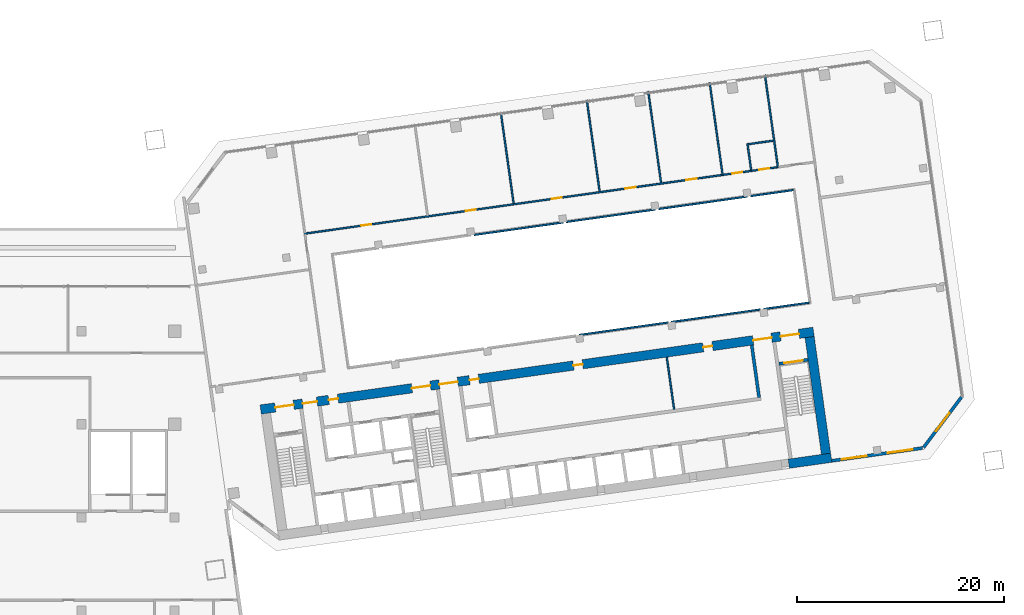
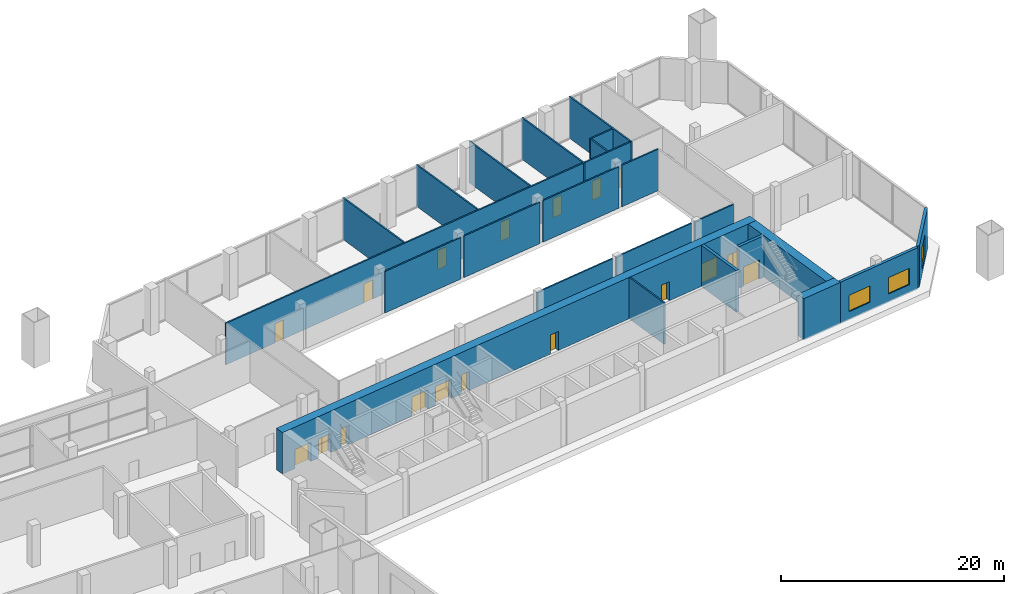
# One storey, part 17 of 21: 24 walls, 18 doors, 3 windows, 21 openings.
"""IFC4 building model written with IfcOpenShell, lengths in metres."""

from ifc_helpers import new_model, si_unit, direction, frame, frame_2d, origin, place, context, subcontext, project, spatial, rectangle, extrude, material, layer, layer_set, type_object, element, fill, save


model = new_model("IFC4")

# Units and contexts
model_context = context("Model", 3, precision=1e-05, world=origin(), true_north=direction((0.0, 1.0)))
body_context = subcontext(model_context, "Body", "Model", "MODEL_VIEW")
ifc_project = project(units=[si_unit("LENGTHUNIT", "METRE"), si_unit("AREAUNIT", "SQUARE_METRE"), si_unit("VOLUMEUNIT", "CUBIC_METRE"), si_unit("PLANEANGLEUNIT", "RADIAN"), si_unit("MASSUNIT", "GRAM", prefix="KILO")], contexts=[model_context])

# Site, building, storey
site_placement = place(None, origin())
site = spatial("IfcSite", under=ifc_project, at=site_placement, CompositionType="ELEMENT")
building_placement = place(site_placement, origin())
building = spatial("IfcBuilding", under=site, at=building_placement, Name="Mirante Cascada Hotel Towers", CompositionType="ELEMENT")
storey_placement = place(building_placement, frame((0.0, 0.0, 34.5)))
storey = spatial("IfcBuildingStorey", under=building, at=storey_placement, Name="L05", CompositionType="ELEMENT", Elevation=34.5)

# Wall
ifc_material_1 = material(Name="Masonry block", Category="masonry")
ifc_layer_1 = layer(ifc_material_1, 0.15)
ifc_layer_set_1 = layer_set([ifc_layer_1], Name="Core room partition 150 block EI 30")
wall_type_1 = type_object("IfcWallType", Name="Core room partition 150 block EI 30", PredefinedType="PARTITIONING", material=ifc_layer_set_1)
wall_1_placement = place(storey_placement, frame((75.3131, -7.5476, 0.0), z_axis=(0.0, 0.0, 1.0), x_axis=(-0.1391782, 0.9902673, 0.0)))
element("IfcWall", 1, at=wall_1_placement, inside=storey, type_object=wall_type_1, Name="Core wall partition T2 L05 5", PredefinedType="PARTITIONING", context=body_context, shape_type="SweptSolid", body=[
    extrude(rectangle(XDim=5.0999, YDim=0.15, at=frame_2d((2.55, 0.0))), origin(), (0.0, 0.0, 1.0), 4.55),
])

# Wall, openings, doors
ifc_material_2 = material(Name="Masonry block", Category="masonry")
ifc_layer_2 = layer(ifc_material_2, 0.15)
ifc_layer_set_2 = layer_set([ifc_layer_2], Name="Corridor wall 150 block")
wall_type_2 = type_object("IfcWallType", Name="Corridor wall 150 block", PredefinedType="PARTITIONING", material=ifc_layer_set_2)
wall_2_placement = place(storey_placement, frame((39.526, 9.4371, 0.0), z_axis=(0.0, 0.0, 1.0), x_axis=(0.9902682, 0.1391719, 0.0)))
wall_2 = element("IfcWall", 2, at=wall_2_placement, inside=storey, type_object=wall_type_2, Name="Corridor wall T2 L05", PredefinedType="PARTITIONING", context=body_context, shape_type="SweptSolid", body=[
    extrude(rectangle(XDim=40.81, YDim=0.15, at=frame_2d((20.405, 0.0))), origin(), (0.0, 0.0, 1.0), 4.55),
])
opening_1_placement = place(wall_2_placement, frame((5.575, 0.0, 0.0)))
opening_1 = element("IfcOpeningElement", 3, at=opening_1_placement, cuts=wall_2, Name="Opening DP2-L05-05", PredefinedType="OPENING", context=body_context, shape_type="SweptSolid", body=[
    extrude(rectangle(XDim=1.0, YDim=2.1, at=frame_2d((0.5, 1.05))), frame((0.0, 0.075, 0.0), z_axis=(0.0, -1.0, 0.0), x_axis=(1.0, 0.0, 0.0)), (0.0, 0.0, 1.0), 0.15),
])
opening_2_placement = place(wall_2_placement, frame((15.775, 0.0, 0.0)))
opening_2 = element("IfcOpeningElement", 4, at=opening_2_placement, cuts=wall_2, Name="Opening DP2-L05-06", PredefinedType="OPENING", context=body_context, shape_type="SweptSolid", body=[
    extrude(rectangle(XDim=1.0, YDim=2.1, at=frame_2d((0.5, 1.05))), frame((0.0, 0.075, 0.0), z_axis=(0.0, -1.0, 0.0), x_axis=(1.0, 0.0, 0.0)), (0.0, 0.0, 1.0), 0.15),
])
opening_3_placement = place(wall_2_placement, frame((24.175, 0.0, 0.0)))
opening_3 = element("IfcOpeningElement", 5, at=opening_3_placement, cuts=wall_2, Name="Opening DP2-L05-07", PredefinedType="OPENING", context=body_context, shape_type="SweptSolid", body=[
    extrude(rectangle(XDim=1.0, YDim=2.1, at=frame_2d((0.5, 1.05))), frame((0.0, 0.075, 0.0), z_axis=(0.0, -1.0, 0.0), x_axis=(1.0, 0.0, 0.0)), (0.0, 0.0, 1.0), 0.15),
])
opening_4_placement = place(wall_2_placement, frame((31.375, 0.0, 0.0)))
opening_4 = element("IfcOpeningElement", 6, at=opening_4_placement, cuts=wall_2, Name="Opening DP2-L05-08", PredefinedType="OPENING", context=body_context, shape_type="SweptSolid", body=[
    extrude(rectangle(XDim=1.0, YDim=2.1, at=frame_2d((0.5, 1.05))), frame((0.0, 0.075, 0.0), z_axis=(0.0, -1.0, 0.0), x_axis=(1.0, 0.0, 0.0)), (0.0, 0.0, 1.0), 0.15),
])
opening_5_placement = place(wall_2_placement, frame((37.3425, 0.0, 0.0)))
opening_5 = element("IfcOpeningElement", 7, at=opening_5_placement, cuts=wall_2, Name="Opening DP2-L05-09", PredefinedType="OPENING", context=body_context, shape_type="SweptSolid", body=[
    extrude(rectangle(XDim=1.0, YDim=2.1, at=frame_2d((0.5, 1.05))), frame((0.0, 0.075, 0.0), z_axis=(0.0, -1.0, 0.0), x_axis=(1.0, 0.0, 0.0)), (0.0, 0.0, 1.0), 0.15),
])
ifc_material_3 = material(Name="Timber door leaf", Category="wood")
door_type_1 = type_object("IfcDoorType", Name="Single door 1000x2100", OperationType="NOTDEFINED", PredefinedType="DOOR", material=ifc_material_3)
door_1_placement = place(opening_1_placement, frame((1.0, 0.0, 0.0), z_axis=(0.0, 0.0, 1.0), x_axis=(-1.0, 0.0, 0.0)))
door_1 = element("IfcDoor", 8, at=door_1_placement, inside=storey, type_object=door_type_1, Name="Door DP2-L05-05", OperationType="SINGLE_SWING_LEFT", OverallHeight=2.1, OverallWidth=1.0, PredefinedType="DOOR", context=body_context, shape_type="SweptSolid", body=[
    extrude(rectangle(XDim=1.0, YDim=2.1, at=frame_2d((0.5, 1.05))), frame((0.0, 0.025, 0.0), z_axis=(0.0, -1.0, 0.0), x_axis=(1.0, 0.0, 0.0)), (0.0, 0.0, 1.0), 0.05),
])
fill(opening_1, door_1)
door_2_placement = place(opening_2_placement, origin())
door_2 = element("IfcDoor", 9, at=door_2_placement, inside=storey, type_object=door_type_1, Name="Door DP2-L05-06", OperationType="SINGLE_SWING_RIGHT", OverallHeight=2.1, OverallWidth=1.0, PredefinedType="DOOR", context=body_context, shape_type="SweptSolid", body=[
    extrude(rectangle(XDim=1.0, YDim=2.1, at=frame_2d((0.5, 1.05))), frame((0.0, 0.025, 0.0), z_axis=(0.0, -1.0, 0.0), x_axis=(1.0, 0.0, 0.0)), (0.0, 0.0, 1.0), 0.05),
])
fill(opening_2, door_2)
door_3_placement = place(opening_3_placement, origin())
door_3 = element("IfcDoor", 10, at=door_3_placement, inside=storey, type_object=door_type_1, Name="Door DP2-L05-07", OperationType="SINGLE_SWING_LEFT", OverallHeight=2.1, OverallWidth=1.0, PredefinedType="DOOR", context=body_context, shape_type="SweptSolid", body=[
    extrude(rectangle(XDim=1.0, YDim=2.1, at=frame_2d((0.5, 1.05))), frame((0.0, 0.025, 0.0), z_axis=(0.0, -1.0, 0.0), x_axis=(1.0, 0.0, 0.0)), (0.0, 0.0, 1.0), 0.05),
])
fill(opening_3, door_3)
door_4_placement = place(opening_4_placement, origin())
door_4 = element("IfcDoor", 11, at=door_4_placement, inside=storey, type_object=door_type_1, Name="Door DP2-L05-08", OperationType="SINGLE_SWING_RIGHT", OverallHeight=2.1, OverallWidth=1.0, PredefinedType="DOOR", context=body_context, shape_type="SweptSolid", body=[
    extrude(rectangle(XDim=1.0, YDim=2.1, at=frame_2d((0.5, 1.05))), frame((0.0, 0.025, 0.0), z_axis=(0.0, -1.0, 0.0), x_axis=(1.0, 0.0, 0.0)), (0.0, 0.0, 1.0), 0.05),
])
fill(opening_4, door_4)
door_5_placement = place(opening_5_placement, origin())
door_5 = element("IfcDoor", 12, at=door_5_placement, inside=storey, type_object=door_type_1, Name="Door DP2-L05-09", OperationType="SINGLE_SWING_LEFT", OverallHeight=2.1, OverallWidth=1.0, PredefinedType="DOOR", context=body_context, shape_type="SweptSolid", body=[
    extrude(rectangle(XDim=1.0, YDim=2.1, at=frame_2d((0.5, 1.05))), frame((0.0, 0.025, 0.0), z_axis=(0.0, -1.0, 0.0), x_axis=(1.0, 0.0, 0.0)), (0.0, 0.0, 1.0), 0.05),
])
fill(opening_5, door_5)

# Walls
for number, where, z_axis, x_axis, name in (
    (13, (66.1471, -0.3533, 0.0), (0.0, 0.0, 1.0), (0.9902682, 0.139172, 0.0), "Corridor wall T2 L05"),
    (14, (75.0595, 0.8993, 0.0), (0.0, 0.0, 1.0), (0.9902682, 0.139172, 0.0), "Corridor wall T2 L05"),
):
    element("IfcWall", number, at=place(storey_placement, frame(where, z_axis=z_axis, x_axis=x_axis)), inside=storey, type_object=wall_type_2, Name=name, PredefinedType="PARTITIONING", context=body_context, shape_type="SweptSolid", body=[
        extrude(rectangle(XDim=8.6713, YDim=0.15, at=frame_2d((4.3356, 0.0))), origin(), (0.0, 0.0, 1.0), 4.55),
    ])
wall_3_placement = place(storey_placement, frame((83.9719, 2.1518, 0.0), z_axis=(0.0, 0.0, 1.0), x_axis=(0.9902682, 0.1391725, 0.0)))
element("IfcWall", 15, at=wall_3_placement, inside=storey, type_object=wall_type_2, Name="Corridor wall T2 L05", PredefinedType="PARTITIONING", context=body_context, shape_type="SweptSolid", body=[
    extrude(rectangle(XDim=4.4456, YDim=0.15, at=frame_2d((2.2228, 0.0))), origin(), (0.0, 0.0, 1.0), 4.55),
])
for number, where, z_axis, x_axis, name in (
    (16, (55.9808, 9.3261, 0.0), (0.0, 0.0, 1.0), (0.9902682, 0.139172, 0.0), "Corridor wall T2 L05"),
    (17, (64.8932, 10.5786, 0.0), (0.0, 0.0, 1.0), (0.9902682, 0.139172, 0.0), "Corridor wall T2 L05"),
    (18, (73.8056, 11.8312, 0.0), (0.0, 0.0, 1.0), (0.9902682, 0.139172, 0.0), "Corridor wall T2 L05"),
):
    element("IfcWall", number, at=place(storey_placement, frame(where, z_axis=z_axis, x_axis=x_axis)), inside=storey, type_object=wall_type_2, Name=name, PredefinedType="PARTITIONING", context=body_context, shape_type="SweptSolid", body=[
        extrude(rectangle(XDim=8.6713, YDim=0.15, at=frame_2d((4.3356, 0.0))), origin(), (0.0, 0.0, 1.0), 4.55),
    ])
wall_4_placement = place(storey_placement, frame((82.718, 13.0837, 0.0), z_axis=(0.0, 0.0, 1.0), x_axis=(0.9902672, 0.1391794, 0.0)))
element("IfcWall", 19, at=wall_4_placement, inside=storey, type_object=wall_type_2, Name="Corridor wall T2 L05", PredefinedType="PARTITIONING", context=body_context, shape_type="SweptSolid", body=[
    extrude(rectangle(XDim=4.1658, YDim=0.15, at=frame_2d((2.0829, 0.0))), origin(), (0.0, 0.0, 1.0), 4.55),
])
ifc_material_4 = material(Name="Masonry block", Category="masonry")
ifc_layer_3 = layer(ifc_material_4, 0.15)
ifc_layer_set_3 = layer_set([ifc_layer_3], Name="Partition 150 block")
wall_type_3 = type_object("IfcWallType", Name="Partition 150 block", PredefinedType="PARTITIONING", material=ifc_layer_set_3)
for number, where, z_axis, x_axis, name in (
    (20, (58.5492, 21.199, 0.0), (0.0, 0.0, 1.0), (0.1391716, -0.9902683, 0.0), "Partition T2 L05"),
    (21, (66.8674, 22.3681, 0.0), (0.0, 0.0, 1.0), (0.1391716, -0.9902683, 0.0), "Partition T2 L05"),
    (22, (72.809, 23.2031, 0.0), (0.0, 0.0, 1.0), (0.1391716, -0.9902683, 0.0), "Partition T2 L05"),
):
    element("IfcWall", number, at=place(storey_placement, frame(where, z_axis=z_axis, x_axis=x_axis)), inside=storey, type_object=wall_type_3, Name=name, PredefinedType="PARTITIONING", context=body_context, shape_type="SweptSolid", body=[
        extrude(rectangle(XDim=8.925, YDim=0.15, at=frame_2d((4.4625, 0.0))), origin(), (0.0, 0.0, 1.0), 4.55),
    ])

# Wall, openings, windows
ifc_material_5 = material(Name="Precast concrete C40/50", Category="concrete")
ifc_layer_4 = layer(ifc_material_5, 0.3)
ifc_layer_set_4 = layer_set([ifc_layer_4], Name="Precast concrete C40/50 cladding wall 300")
wall_type_4 = type_object("IfcWallType", Name="Precast concrete C40/50 cladding wall 300", PredefinedType="STANDARD", material=ifc_layer_set_4)
wall_5_placement = place(storey_placement, frame((90.5541, -12.5249, 0.0), z_axis=(0.0, 0.0, 1.0), x_axis=(0.9902676, 0.1391765, 0.0)))
wall_5 = element("IfcWall", 23, at=wall_5_placement, inside=storey, type_object=wall_type_4, Name="Rear cladding wall T2 L05 1", PredefinedType="STANDARD", context=body_context, shape_type="SweptSolid", body=[
    extrude(rectangle(XDim=8.8758, YDim=0.3, at=frame_2d((4.4379, 0.0))), origin(), (0.0, 0.0, 1.0), 4.55),
])
opening_6_placement = place(wall_5_placement, frame((1.0012, 0.0, 0.9)))
opening_6 = element("IfcOpeningElement", 24, at=opening_6_placement, cuts=wall_5, Name="Opening W2-05-01", PredefinedType="OPENING", context=body_context, shape_type="SweptSolid", body=[
    extrude(rectangle(XDim=2.4, YDim=1.8, at=frame_2d((1.2, 0.9))), frame((0.0, 0.15, 0.0), z_axis=(0.0, -1.0, 0.0), x_axis=(1.0, 0.0, 0.0)), (0.0, 0.0, 1.0), 0.3),
])
opening_7_placement = place(wall_5_placement, frame((5.4923, 0.0, 0.9)))
opening_7 = element("IfcOpeningElement", 25, at=opening_7_placement, cuts=wall_5, Name="Opening W2-05-02", PredefinedType="OPENING", context=body_context, shape_type="SweptSolid", body=[
    extrude(rectangle(XDim=2.4, YDim=1.8, at=frame_2d((1.2, 0.9))), frame((0.0, 0.15, 0.0), z_axis=(0.0, -1.0, 0.0), x_axis=(1.0, 0.0, 0.0)), (0.0, 0.0, 1.0), 0.3),
])
ifc_material_6 = material(Name="Aluminium frame with clear double glazing", Category="aluminium")
window_type_1 = type_object("IfcWindowType", Name="Punched window 2400x1800", PartitioningType="DOUBLE_PANEL_VERTICAL", PredefinedType="WINDOW", material=ifc_material_6)
window_1_placement = place(opening_6_placement, origin())
window_1 = element("IfcWindow", 26, at=window_1_placement, inside=storey, type_object=window_type_1, Name="Window W2-05-01", OverallHeight=1.8, OverallWidth=2.4, PartitioningType="SINGLE_PANEL", PredefinedType="WINDOW", context=body_context, shape_type="SweptSolid", body=[
    extrude(rectangle(XDim=2.4, YDim=1.8, at=frame_2d((1.2, 0.9))), frame((0.0, 0.03, 0.0), z_axis=(0.0, -1.0, 0.0), x_axis=(1.0, 0.0, 0.0)), (0.0, 0.0, 1.0), 0.06),
])
fill(opening_6, window_1)
window_2_placement = place(opening_7_placement, origin())
window_2 = element("IfcWindow", 27, at=window_2_placement, inside=storey, type_object=window_type_1, Name="Window W2-05-02", OverallHeight=1.8, OverallWidth=2.4, PartitioningType="SINGLE_PANEL", PredefinedType="WINDOW", context=body_context, shape_type="SweptSolid", body=[
    extrude(rectangle(XDim=2.4, YDim=1.8, at=frame_2d((1.2, 0.9))), frame((0.0, 0.03, 0.0), z_axis=(0.0, -1.0, 0.0), x_axis=(1.0, 0.0, 0.0)), (0.0, 0.0, 1.0), 0.06),
])
fill(opening_7, window_2)

# Wall, opening, window
wall_6_placement = place(storey_placement, frame((99.4424, -11.2313, 0.0), z_axis=(0.0, 0.0, 1.0), x_axis=(0.6018194, 0.7986322, 0.0)))
wall_6 = element("IfcWall", 28, at=wall_6_placement, inside=storey, type_object=wall_type_4, Name="Corner cladding wall T2 L05 rear outer", PredefinedType="STANDARD", context=body_context, shape_type="SweptSolid", body=[
    extrude(rectangle(XDim=6.1155, YDim=0.3, at=frame_2d((3.0578, 0.0))), origin(), (0.0, 0.0, 1.0), 4.55),
])
opening_8_placement = place(wall_6_placement, frame((1.9576, 0.0, 0.6)))
opening_8 = element("IfcOpeningElement", 29, at=opening_8_placement, cuts=wall_6, Name="Opening W2-05-03", PredefinedType="OPENING", context=body_context, shape_type="SweptSolid", body=[
    extrude(rectangle(XDim=2.2, YDim=2.4, at=frame_2d((1.1, 1.2))), frame((0.0, 0.15, 0.0), z_axis=(0.0, -1.0, 0.0), x_axis=(1.0, 0.0, 0.0)), (0.0, 0.0, 1.0), 0.3),
])
ifc_material_7 = material(Name="Aluminium frame with clear double glazing", Category="aluminium")
window_type_2 = type_object("IfcWindowType", Name="Corner suite window 2200x2400", PartitioningType="DOUBLE_PANEL_VERTICAL", PredefinedType="WINDOW", material=ifc_material_7)
window_3_placement = place(opening_8_placement, origin())
window_3 = element("IfcWindow", 30, at=window_3_placement, inside=storey, type_object=window_type_2, Name="Window W2-05-03", OverallHeight=2.4, OverallWidth=2.2, PartitioningType="SINGLE_PANEL", PredefinedType="WINDOW", context=body_context, shape_type="SweptSolid", body=[
    extrude(rectangle(XDim=2.2, YDim=2.4, at=frame_2d((1.1, 1.2))), frame((0.0, 0.03, 0.0), z_axis=(0.0, -1.0, 0.0), x_axis=(1.0, 0.0, 0.0)), (0.0, 0.0, 1.0), 0.06),
])
fill(opening_8, window_3)

# Wall, opening, door
ifc_material_8 = material(Name="Concrete C50/60", Category="concrete")
ifc_layer_5 = layer(ifc_material_8, 0.3)
ifc_layer_set_5 = layer_set([ifc_layer_5], Name="RC core wall 300 C50/60")
wall_type_5 = type_object("IfcWallType", Name="RC core wall 300 C50/60", PredefinedType="SHEAR", material=ifc_layer_set_5)
wall_7_placement = place(storey_placement, frame((85.4489, -3.1441, 0.0), z_axis=(0.0, 0.0, 1.0), x_axis=(0.9902697, 0.1391613, 0.0)))
wall_7 = element("IfcWall", 31, at=wall_7_placement, inside=storey, type_object=wall_type_5, Name="Core wall T2:L05:11", PredefinedType="SHEAR", context=body_context, shape_type="SweptSolid", body=[
    extrude(rectangle(XDim=2.8499, YDim=0.3, at=frame_2d((1.425, 0.0))), origin(), (0.0, 0.0, 1.0), 4.55),
])
opening_9_placement = place(wall_7_placement, frame((0.525, 0.0, 0.0)))
opening_9 = element("IfcOpeningElement", 32, at=opening_9_placement, cuts=wall_7, Name="Opening D2-05-C20", PredefinedType="OPENING", context=body_context, shape_type="SweptSolid", body=[
    extrude(rectangle(XDim=1.8, YDim=2.1, at=frame_2d((0.9, 1.05))), frame((0.0, 0.15, 0.0), z_axis=(0.0, -1.0, 0.0), x_axis=(1.0, 0.0, 0.0)), (0.0, 0.0, 1.0), 0.3),
])
ifc_material_9 = material(Name="Hollow metal fire door leaf")
door_type_2 = type_object("IfcDoorType", Name="Double fire door 1800x2100 FD60", OperationType="DOUBLE_DOOR_SINGLE_SWING", PredefinedType="DOOR", material=ifc_material_9)
door_6_placement = place(opening_9_placement, frame((1.8, 0.0, 0.0), z_axis=(0.0, 0.0, 1.0), x_axis=(-1.0, 0.0, 0.0)))
door_6 = element("IfcDoor", 33, at=door_6_placement, inside=storey, type_object=door_type_2, Name="Stair door T2 L05 20", OperationType="DOUBLE_DOOR_SINGLE_SWING", OverallHeight=2.1, OverallWidth=1.8, PredefinedType="DOOR", context=body_context, shape_type="SweptSolid", body=[
    extrude(rectangle(XDim=0.895, YDim=2.1, at=frame_2d((0.4475, 1.05))), frame((0.0, 0.025, 0.0), z_axis=(0.0, -1.0, 0.0), x_axis=(1.0, 0.0, 0.0)), (0.0, 0.0, 1.0), 0.05),
    extrude(rectangle(XDim=0.895, YDim=2.1, at=frame_2d((1.3525, 1.05))), frame((0.0, 0.025, 0.0), z_axis=(0.0, -1.0, 0.0), x_axis=(1.0, 0.0, 0.0)), (0.0, 0.0, 1.0), 0.05),
])
fill(opening_9, door_6)

# Walls
wall_8_placement = place(storey_placement, frame((83.5323, -6.3925, 0.0), z_axis=(0.0, 0.0, 1.0), x_axis=(-0.1391755, 0.9902677, 0.0)))
element("IfcWall", 34, at=wall_8_placement, inside=storey, type_object=wall_type_5, Name="Core wall T2:L05:36", PredefinedType="SHEAR", context=body_context, shape_type="SweptSolid", body=[
    extrude(rectangle(XDim=5.1, YDim=0.3, at=frame_2d((2.55, 0.0))), origin(), (0.0, 0.0, 1.0), 4.55),
])
ifc_material_10 = material(Name="Concrete C50/60", Category="concrete")
ifc_layer_6 = layer(ifc_material_10, 0.9)
ifc_layer_set_6 = layer_set([ifc_layer_6], Name="RC core wall 900 C50/60")
wall_type_6 = type_object("IfcWallType", Name="RC core wall 900 C50/60", PredefinedType="SHEAR", material=ifc_layer_set_6)
wall_9_placement = place(storey_placement, frame((86.4027, -12.8054, 0.0), z_axis=(0.0, 0.0, 1.0), x_axis=(0.990267, 0.139181, 0.0)))
element("IfcWall", 35, at=wall_9_placement, inside=storey, type_object=wall_type_6, Name="Core wall T2:L05:1.7", PredefinedType="SHEAR", context=body_context, shape_type="SweptSolid", body=[
    extrude(rectangle(XDim=4.15, YDim=0.9, at=frame_2d((2.075, 0.0))), origin(), (0.0, 0.0, 1.0), 4.55),
])

# Wall, openings, doors
wall_10_placement = place(storey_placement, frame((35.326, -7.5629, 0.0), z_axis=(0.0, 0.0, 1.0), x_axis=(0.9902679, 0.139174, 0.0)))
wall_10 = element("IfcWall", 36, at=wall_10_placement, inside=storey, type_object=wall_type_6, Name="Core wall T2:L05:2", PredefinedType="SHEAR", context=body_context, shape_type="SweptSolid", body=[
    extrude(rectangle(XDim=54.0, YDim=0.9, at=frame_2d((27.0, 0.0))), origin(), (0.0, 0.0, 1.0), 4.55),
])
opening_10_placement = place(wall_10_placement, frame((1.425, 0.0, 0.0)))
opening_10 = element("IfcOpeningElement", 37, at=opening_10_placement, cuts=wall_10, Name="Opening D2-05-C17", PredefinedType="OPENING", context=body_context, shape_type="SweptSolid", body=[
    extrude(rectangle(XDim=1.8, YDim=2.1, at=frame_2d((0.9, 1.05))), frame((0.0, 0.45, 0.0), z_axis=(0.0, -1.0, 0.0), x_axis=(1.0, 0.0, 0.0)), (0.0, 0.0, 1.0), 0.9),
])
opening_11_placement = place(wall_10_placement, frame((14.775, 0.0, 0.0)))
opening_11 = element("IfcOpeningElement", 38, at=opening_11_placement, cuts=wall_10, Name="Opening D2-05-C19", PredefinedType="OPENING", context=body_context, shape_type="SweptSolid", body=[
    extrude(rectangle(XDim=1.8, YDim=2.1, at=frame_2d((0.9, 1.05))), frame((0.0, 0.45, 0.0), z_axis=(0.0, -1.0, 0.0), x_axis=(1.0, 0.0, 0.0)), (0.0, 0.0, 1.0), 0.9),
])
opening_12_placement = place(wall_10_placement, frame((50.775, 0.0, 0.0)))
opening_12 = element("IfcOpeningElement", 39, at=opening_12_placement, cuts=wall_10, Name="Opening D2-05-C21", PredefinedType="OPENING", context=body_context, shape_type="SweptSolid", body=[
    extrude(rectangle(XDim=1.8, YDim=2.1, at=frame_2d((0.9, 1.05))), frame((0.0, 0.45, 0.0), z_axis=(0.0, -1.0, 0.0), x_axis=(1.0, 0.0, 0.0)), (0.0, 0.0, 1.0), 0.9),
])
opening_13_placement = place(wall_10_placement, frame((4.1, 0.0, 0.0)))
opening_13 = element("IfcOpeningElement", 40, at=opening_13_placement, cuts=wall_10, Name="Opening D2-05-C22", PredefinedType="OPENING", context=body_context, shape_type="SweptSolid", body=[
    extrude(rectangle(XDim=1.4, YDim=2.1, at=frame_2d((0.7, 1.05))), frame((0.0, 0.45, 0.0), z_axis=(0.0, -1.0, 0.0), x_axis=(1.0, 0.0, 0.0)), (0.0, 0.0, 1.0), 0.9),
])
opening_14_placement = place(wall_10_placement, frame((17.45, 0.0, 0.0)))
opening_14 = element("IfcOpeningElement", 41, at=opening_14_placement, cuts=wall_10, Name="Opening D2-05-C23", PredefinedType="OPENING", context=body_context, shape_type="SweptSolid", body=[
    extrude(rectangle(XDim=1.8, YDim=2.1, at=frame_2d((0.9, 1.05))), frame((0.0, 0.45, 0.0), z_axis=(0.0, -1.0, 0.0), x_axis=(1.0, 0.0, 0.0)), (0.0, 0.0, 1.0), 0.9),
])
opening_15_placement = place(wall_10_placement, frame((48.1, 0.0, 0.0)))
opening_15 = element("IfcOpeningElement", 42, at=opening_15_placement, cuts=wall_10, Name="Opening D2-05-C24", PredefinedType="OPENING", context=body_context, shape_type="SweptSolid", body=[
    extrude(rectangle(XDim=1.8, YDim=2.1, at=frame_2d((0.9, 1.05))), frame((0.0, 0.45, 0.0), z_axis=(0.0, -1.0, 0.0), x_axis=(1.0, 0.0, 0.0)), (0.0, 0.0, 1.0), 0.9),
])
opening_16_placement = place(wall_10_placement, frame((6.65, 0.0, 0.0)))
opening_16 = element("IfcOpeningElement", 43, at=opening_16_placement, cuts=wall_10, Name="Opening D2-05-C27", PredefinedType="OPENING", context=body_context, shape_type="SweptSolid", body=[
    extrude(rectangle(XDim=0.9, YDim=2.1, at=frame_2d((0.45, 1.05))), frame((0.0, 0.45, 0.0), z_axis=(0.0, -1.0, 0.0), x_axis=(1.0, 0.0, 0.0)), (0.0, 0.0, 1.0), 0.9),
])
opening_17_placement = place(wall_10_placement, frame((20.4, 0.0, 0.0)))
opening_17 = element("IfcOpeningElement", 44, at=opening_17_placement, cuts=wall_10, Name="Opening D2-05-C30", PredefinedType="OPENING", context=body_context, shape_type="SweptSolid", body=[
    extrude(rectangle(XDim=0.9, YDim=2.1, at=frame_2d((0.45, 1.05))), frame((0.0, 0.45, 0.0), z_axis=(0.0, -1.0, 0.0), x_axis=(1.0, 0.0, 0.0)), (0.0, 0.0, 1.0), 0.9),
])
opening_18_placement = place(wall_10_placement, frame((30.55, 0.0, 0.0)))
opening_18 = element("IfcOpeningElement", 45, at=opening_18_placement, cuts=wall_10, Name="Opening D2-05-C31", PredefinedType="OPENING", context=body_context, shape_type="SweptSolid", body=[
    extrude(rectangle(XDim=0.9, YDim=2.1, at=frame_2d((0.45, 1.05))), frame((0.0, 0.45, 0.0), z_axis=(0.0, -1.0, 0.0), x_axis=(1.0, 0.0, 0.0)), (0.0, 0.0, 1.0), 0.9),
])
opening_19_placement = place(wall_10_placement, frame((43.225, 0.0, 0.0)))
opening_19 = element("IfcOpeningElement", 46, at=opening_19_placement, cuts=wall_10, Name="Opening D2-05-C32", PredefinedType="OPENING", context=body_context, shape_type="SweptSolid", body=[
    extrude(rectangle(XDim=0.9, YDim=2.1, at=frame_2d((0.45, 1.05))), frame((0.0, 0.45, 0.0), z_axis=(0.0, -1.0, 0.0), x_axis=(1.0, 0.0, 0.0)), (0.0, 0.0, 1.0), 0.9),
])
ifc_material_11 = material(Name="Hollow metal fire door leaf")
door_type_3 = type_object("IfcDoorType", Name="Double fire door 1400x2100 FD60", OperationType="DOUBLE_DOOR_SINGLE_SWING", PredefinedType="DOOR", material=ifc_material_11)
door_7_placement = place(opening_13_placement, origin())
door_7 = element("IfcDoor", 47, at=door_7_placement, inside=storey, type_object=door_type_3, Name="Exit door to gallery T2 L05 22", OperationType="DOUBLE_DOOR_SINGLE_SWING", OverallHeight=2.1, OverallWidth=1.4, PredefinedType="DOOR", context=body_context, shape_type="SweptSolid", body=[
    extrude(rectangle(XDim=0.695, YDim=2.1, at=frame_2d((0.3475, 1.05))), frame((0.0, 0.025, 0.0), z_axis=(0.0, -1.0, 0.0), x_axis=(1.0, 0.0, 0.0)), (0.0, 0.0, 1.0), 0.05),
    extrude(rectangle(XDim=0.695, YDim=2.1, at=frame_2d((1.0525, 1.05))), frame((0.0, 0.025, 0.0), z_axis=(0.0, -1.0, 0.0), x_axis=(1.0, 0.0, 0.0)), (0.0, 0.0, 1.0), 0.05),
])
fill(opening_13, door_7)
door_8_placement = place(opening_10_placement, frame((1.8, 0.0, 0.0), z_axis=(0.0, 0.0, 1.0), x_axis=(-1.0, 0.0, 0.0)))
door_8 = element("IfcDoor", 48, at=door_8_placement, inside=storey, type_object=door_type_2, Name="Exit door to gallery T2 L05 17", OperationType="DOUBLE_DOOR_SINGLE_SWING", OverallHeight=2.1, OverallWidth=1.8, PredefinedType="DOOR", context=body_context, shape_type="SweptSolid", body=[
    extrude(rectangle(XDim=0.895, YDim=2.1, at=frame_2d((0.4475, 1.05))), frame((0.0, 0.025, 0.0), z_axis=(0.0, -1.0, 0.0), x_axis=(1.0, 0.0, 0.0)), (0.0, 0.0, 1.0), 0.05),
    extrude(rectangle(XDim=0.895, YDim=2.1, at=frame_2d((1.3525, 1.05))), frame((0.0, 0.025, 0.0), z_axis=(0.0, -1.0, 0.0), x_axis=(1.0, 0.0, 0.0)), (0.0, 0.0, 1.0), 0.05),
])
fill(opening_10, door_8)
door_9_placement = place(opening_11_placement, frame((1.8, 0.0, 0.0), z_axis=(0.0, 0.0, 1.0), x_axis=(-1.0, 0.0, 0.0)))
door_9 = element("IfcDoor", 49, at=door_9_placement, inside=storey, type_object=door_type_2, Name="Exit door to gallery T2 L05 19", OperationType="DOUBLE_DOOR_SINGLE_SWING", OverallHeight=2.1, OverallWidth=1.8, PredefinedType="DOOR", context=body_context, shape_type="SweptSolid", body=[
    extrude(rectangle(XDim=0.895, YDim=2.1, at=frame_2d((0.4475, 1.05))), frame((0.0, 0.025, 0.0), z_axis=(0.0, -1.0, 0.0), x_axis=(1.0, 0.0, 0.0)), (0.0, 0.0, 1.0), 0.05),
    extrude(rectangle(XDim=0.895, YDim=2.1, at=frame_2d((1.3525, 1.05))), frame((0.0, 0.025, 0.0), z_axis=(0.0, -1.0, 0.0), x_axis=(1.0, 0.0, 0.0)), (0.0, 0.0, 1.0), 0.05),
])
fill(opening_11, door_9)
door_10_placement = place(opening_12_placement, frame((1.8, 0.0, 0.0), z_axis=(0.0, 0.0, 1.0), x_axis=(-1.0, 0.0, 0.0)))
door_10 = element("IfcDoor", 50, at=door_10_placement, inside=storey, type_object=door_type_2, Name="Exit door to gallery T2 L05 21", OperationType="DOUBLE_DOOR_SINGLE_SWING", OverallHeight=2.1, OverallWidth=1.8, PredefinedType="DOOR", context=body_context, shape_type="SweptSolid", body=[
    extrude(rectangle(XDim=0.895, YDim=2.1, at=frame_2d((0.4475, 1.05))), frame((0.0, 0.025, 0.0), z_axis=(0.0, -1.0, 0.0), x_axis=(1.0, 0.0, 0.0)), (0.0, 0.0, 1.0), 0.05),
    extrude(rectangle(XDim=0.895, YDim=2.1, at=frame_2d((1.3525, 1.05))), frame((0.0, 0.025, 0.0), z_axis=(0.0, -1.0, 0.0), x_axis=(1.0, 0.0, 0.0)), (0.0, 0.0, 1.0), 0.05),
])
fill(opening_12, door_10)
door_11_placement = place(opening_14_placement, origin())
door_11 = element("IfcDoor", 51, at=door_11_placement, inside=storey, type_object=door_type_2, Name="Exit door to gallery T2 L05 23", OperationType="DOUBLE_DOOR_SINGLE_SWING", OverallHeight=2.1, OverallWidth=1.8, PredefinedType="DOOR", context=body_context, shape_type="SweptSolid", body=[
    extrude(rectangle(XDim=0.895, YDim=2.1, at=frame_2d((0.4475, 1.05))), frame((0.0, 0.025, 0.0), z_axis=(0.0, -1.0, 0.0), x_axis=(1.0, 0.0, 0.0)), (0.0, 0.0, 1.0), 0.05),
    extrude(rectangle(XDim=0.895, YDim=2.1, at=frame_2d((1.3525, 1.05))), frame((0.0, 0.025, 0.0), z_axis=(0.0, -1.0, 0.0), x_axis=(1.0, 0.0, 0.0)), (0.0, 0.0, 1.0), 0.05),
])
fill(opening_14, door_11)
door_12_placement = place(opening_15_placement, origin())
door_12 = element("IfcDoor", 52, at=door_12_placement, inside=storey, type_object=door_type_2, Name="Exit door to gallery T2 L05 24", OperationType="DOUBLE_DOOR_SINGLE_SWING", OverallHeight=2.1, OverallWidth=1.8, PredefinedType="DOOR", context=body_context, shape_type="SweptSolid", body=[
    extrude(rectangle(XDim=0.895, YDim=2.1, at=frame_2d((0.4475, 1.05))), frame((0.0, 0.025, 0.0), z_axis=(0.0, -1.0, 0.0), x_axis=(1.0, 0.0, 0.0)), (0.0, 0.0, 1.0), 0.05),
    extrude(rectangle(XDim=0.895, YDim=2.1, at=frame_2d((1.3525, 1.05))), frame((0.0, 0.025, 0.0), z_axis=(0.0, -1.0, 0.0), x_axis=(1.0, 0.0, 0.0)), (0.0, 0.0, 1.0), 0.05),
])
fill(opening_15, door_12)
ifc_material_12 = material(Name="Hollow metal fire door leaf")
door_type_4 = type_object("IfcDoorType", Name="Fire door 900x2100 FD60", OperationType="NOTDEFINED", PredefinedType="DOOR", material=ifc_material_12)
door_13_placement = place(opening_16_placement, frame((0.9, 0.0, 0.0), z_axis=(0.0, 0.0, 1.0), x_axis=(-1.0, 0.0, 0.0)))
door_13 = element("IfcDoor", 53, at=door_13_placement, inside=storey, type_object=door_type_4, Name="Room door T2 L05 27", OperationType="SINGLE_SWING_LEFT", OverallHeight=2.1, OverallWidth=0.9, PredefinedType="DOOR", context=body_context, shape_type="SweptSolid", body=[
    extrude(rectangle(XDim=0.9, YDim=2.1, at=frame_2d((0.45, 1.05))), frame((0.0, 0.025, 0.0), z_axis=(0.0, -1.0, 0.0), x_axis=(1.0, 0.0, 0.0)), (0.0, 0.0, 1.0), 0.05),
])
fill(opening_16, door_13)
door_14_placement = place(opening_17_placement, frame((0.9, 0.0, 0.0), z_axis=(0.0, 0.0, 1.0), x_axis=(-1.0, 0.0, 0.0)))
door_14 = element("IfcDoor", 54, at=door_14_placement, inside=storey, type_object=door_type_4, Name="Room door T2 L05 30", OperationType="SINGLE_SWING_LEFT", OverallHeight=2.1, OverallWidth=0.9, PredefinedType="DOOR", context=body_context, shape_type="SweptSolid", body=[
    extrude(rectangle(XDim=0.9, YDim=2.1, at=frame_2d((0.45, 1.05))), frame((0.0, 0.025, 0.0), z_axis=(0.0, -1.0, 0.0), x_axis=(1.0, 0.0, 0.0)), (0.0, 0.0, 1.0), 0.05),
])
fill(opening_17, door_14)
door_15_placement = place(opening_18_placement, frame((0.9, 0.0, 0.0), z_axis=(0.0, 0.0, 1.0), x_axis=(-1.0, 0.0, 0.0)))
door_15 = element("IfcDoor", 55, at=door_15_placement, inside=storey, type_object=door_type_4, Name="Room door T2 L05 31", OperationType="SINGLE_SWING_RIGHT", OverallHeight=2.1, OverallWidth=0.9, PredefinedType="DOOR", context=body_context, shape_type="SweptSolid", body=[
    extrude(rectangle(XDim=0.9, YDim=2.1, at=frame_2d((0.45, 1.05))), frame((0.0, 0.025, 0.0), z_axis=(0.0, -1.0, 0.0), x_axis=(1.0, 0.0, 0.0)), (0.0, 0.0, 1.0), 0.05),
])
fill(opening_18, door_15)
door_16_placement = place(opening_19_placement, frame((0.9, 0.0, 0.0), z_axis=(0.0, 0.0, 1.0), x_axis=(-1.0, 0.0, 0.0)))
door_16 = element("IfcDoor", 56, at=door_16_placement, inside=storey, type_object=door_type_4, Name="Room door T2 L05 32", OperationType="SINGLE_SWING_RIGHT", OverallHeight=2.1, OverallWidth=0.9, PredefinedType="DOOR", context=body_context, shape_type="SweptSolid", body=[
    extrude(rectangle(XDim=0.9, YDim=2.1, at=frame_2d((0.45, 1.05))), frame((0.0, 0.025, 0.0), z_axis=(0.0, -1.0, 0.0), x_axis=(1.0, 0.0, 0.0)), (0.0, 0.0, 1.0), 0.05),
])
fill(opening_19, door_16)

# Walls
wall_11_placement = place(storey_placement, frame((90.0041, -11.8449, 0.0), z_axis=(0.0, 0.0, 1.0), x_axis=(-0.1391749, 0.9902678, 0.0)))
element("IfcWall", 57, at=wall_11_placement, inside=storey, type_object=wall_type_6, Name="Core wall T2:L05:4", PredefinedType="SHEAR", context=body_context, shape_type="SweptSolid", body=[
    extrude(rectangle(XDim=11.4, YDim=0.9, at=frame_2d((5.7, 0.0))), origin(), (0.0, 0.0, 1.0), 4.55),
])
ifc_material_13 = material(Name="Masonry block", Category="masonry")
ifc_layer_7 = layer(ifc_material_13, 0.15)
ifc_layer_set_7 = layer_set([ifc_layer_7], Name="Wet room wall 150 block")
wall_type_7 = type_object("IfcWallType", Name="Wet room wall 150 block", PredefinedType="PARTITIONING", material=ifc_layer_set_7)
wall_12_placement = place(storey_placement, frame((78.7506, 24.0382, 0.0), z_axis=(0.0, 0.0, 1.0), x_axis=(0.1391733, -0.990268, 0.0)))
element("IfcWall", 58, at=wall_12_placement, inside=storey, type_object=wall_type_7, Name="Wet room wall T2 L05", PredefinedType="PARTITIONING", context=body_context, shape_type="SweptSolid", body=[
    extrude(rectangle(XDim=9.075, YDim=0.15, at=frame_2d((4.5375, 0.0))), origin(), (0.0, 0.0, 1.0), 4.55),
])
wall_13_placement = place(storey_placement, frame((82.4245, 18.0159, 0.0), z_axis=(0.0, 0.0, 1.0), x_axis=(0.139181, -0.990267, 0.0)))
element("IfcWall", 59, at=wall_13_placement, inside=storey, type_object=wall_type_7, Name="Wet room wall T2 L05", PredefinedType="PARTITIONING", context=body_context, shape_type="SweptSolid", body=[
    extrude(rectangle(XDim=2.45, YDim=0.15, at=frame_2d((1.225, 0.0))), origin(), (0.0, 0.0, 1.0), 4.55),
])
wall_14_placement = place(storey_placement, frame((84.0981, 24.7897, 0.0), z_axis=(0.0, 0.0, 1.0), x_axis=(0.1391733, -0.990268, 0.0)))
element("IfcWall", 60, at=wall_14_placement, inside=storey, type_object=wall_type_7, Name="Wet room wall T2 L05", PredefinedType="PARTITIONING", context=body_context, shape_type="SweptSolid", body=[
    extrude(rectangle(XDim=9.075, YDim=0.15, at=frame_2d((4.5375, 0.0))), origin(), (0.0, 0.0, 1.0), 4.55),
])

# Wall, openings, doors
wall_15_placement = place(storey_placement, frame((80.0675, 15.1348, 0.0), z_axis=(0.0, 0.0, 1.0), x_axis=(0.9902669, 0.1391816, 0.0)))
wall_15 = element("IfcWall", 61, at=wall_15_placement, inside=storey, type_object=wall_type_7, Name="Wet room wall T2 L05", PredefinedType="PARTITIONING", context=body_context, shape_type="SweptSolid", body=[
    extrude(rectangle(XDim=5.2701, YDim=0.15, at=frame_2d((2.635, 0.0))), origin(), (0.0, 0.0, 1.0), 4.55),
])
opening_20_placement = place(wall_15_placement, frame((0.8675, 0.0, 0.0)))
opening_20 = element("IfcOpeningElement", 62, at=opening_20_placement, cuts=wall_15, Name="Opening DP2-L05-10", PredefinedType="OPENING", context=body_context, shape_type="SweptSolid", body=[
    extrude(rectangle(XDim=1.0, YDim=2.1, at=frame_2d((0.5, 1.05))), frame((0.0, 0.075, 0.0), z_axis=(0.0, -1.0, 0.0), x_axis=(1.0, 0.0, 0.0)), (0.0, 0.0, 1.0), 0.15),
])
opening_21_placement = place(wall_15_placement, frame((3.5026, 0.0, 0.0)))
opening_21 = element("IfcOpeningElement", 63, at=opening_21_placement, cuts=wall_15, Name="Opening DP2-L05-12", PredefinedType="OPENING", context=body_context, shape_type="SweptSolid", body=[
    extrude(rectangle(XDim=1.0, YDim=2.1, at=frame_2d((0.5, 1.05))), frame((0.0, 0.075, 0.0), z_axis=(0.0, -1.0, 0.0), x_axis=(1.0, 0.0, 0.0)), (0.0, 0.0, 1.0), 0.15),
])
door_17_placement = place(opening_20_placement, origin())
door_17 = element("IfcDoor", 64, at=door_17_placement, inside=storey, type_object=door_type_1, Name="Door DP2-L05-10", OperationType="SINGLE_SWING_RIGHT", OverallHeight=2.1, OverallWidth=1.0, PredefinedType="DOOR", context=body_context, shape_type="SweptSolid", body=[
    extrude(rectangle(XDim=1.0, YDim=2.1, at=frame_2d((0.5, 1.05))), frame((0.0, 0.025, 0.0), z_axis=(0.0, -1.0, 0.0), x_axis=(1.0, 0.0, 0.0)), (0.0, 0.0, 1.0), 0.05),
])
fill(opening_20, door_17)
door_18_placement = place(opening_21_placement, origin())
door_18 = element("IfcDoor", 65, at=door_18_placement, inside=storey, type_object=door_type_1, Name="Door DP2-L05-12", OperationType="SINGLE_SWING_RIGHT", OverallHeight=2.1, OverallWidth=1.0, PredefinedType="DOOR", context=body_context, shape_type="SweptSolid", body=[
    extrude(rectangle(XDim=1.0, YDim=2.1, at=frame_2d((0.5, 1.05))), frame((0.0, 0.025, 0.0), z_axis=(0.0, -1.0, 0.0), x_axis=(1.0, 0.0, 0.0)), (0.0, 0.0, 1.0), 0.05),
])
fill(opening_21, door_18)

# Wall
wall_16_placement = place(storey_placement, frame((82.3398, 18.0797, 0.0), z_axis=(0.0, 0.0, 1.0), x_axis=(0.9902654, 0.1391918, 0.0)))
element("IfcWall", 66, at=wall_16_placement, inside=storey, type_object=wall_type_7, Name="Wet room wall T2 L05", PredefinedType="PARTITIONING", context=body_context, shape_type="SweptSolid", body=[
    extrude(rectangle(XDim=2.6, YDim=0.15, at=frame_2d((1.3, 0.0))), origin(), (0.0, 0.0, 1.0), 4.55),
])

save(model, "model.ifc")
